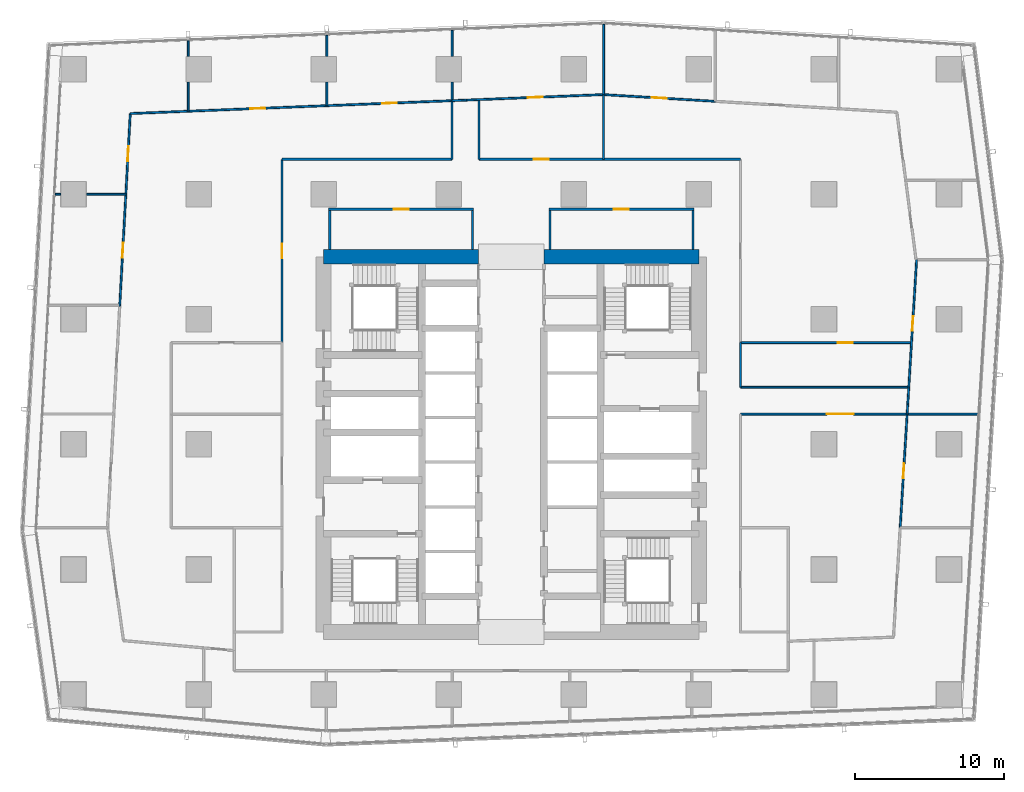
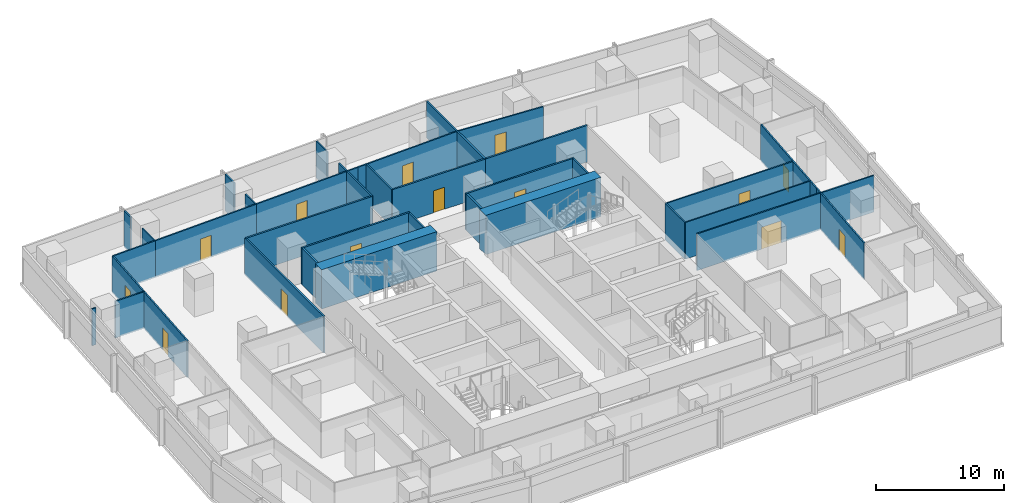
# One storey, part 31 of 40: 41 walls, 14 doors, 14 openings.
"""IFC4 building model written with IfcOpenShell, lengths in metres."""

from ifc_helpers import new_model, si_unit, direction, frame, frame_2d, origin, place, context, subcontext, project, spatial, rectangle, extrude, material, layer, layer_set, type_object, element, fill, save


model = new_model("IFC4")

# Units and contexts
model_context = context("Model", 3, precision=1e-05, world=origin(), true_north=direction((0.0, 1.0)))
body_context = subcontext(model_context, "Body", "Model", "MODEL_VIEW")
ifc_project = project(units=[si_unit("LENGTHUNIT", "METRE"), si_unit("AREAUNIT", "SQUARE_METRE"), si_unit("VOLUMEUNIT", "CUBIC_METRE"), si_unit("PLANEANGLEUNIT", "RADIAN"), si_unit("MASSUNIT", "GRAM", prefix="KILO")], contexts=[model_context])

# Site, building, storey
site_placement = place(None, origin())
site = spatial("IfcSite", under=ifc_project, at=site_placement, CompositionType="ELEMENT")
building_placement = place(site_placement, origin())
building = spatial("IfcBuilding", under=site, at=building_placement, Name="Rekha Terrace Tower", CompositionType="ELEMENT")
storey_placement = place(building_placement, frame((0.0, 0.0, 117.800048828125)))
storey = spatial("IfcBuildingStorey", under=building, at=storey_placement, Name="L29", CompositionType="ELEMENT", Elevation=117.800048828125)

# Walls
ifc_material_1 = material(Name="Concrete M70", Category="concrete")
ifc_layer_1 = layer(ifc_material_1, 1.0)
ifc_layer_set_1 = layer_set([ifc_layer_1], Name="Concrete M70")
wall_type_1 = type_object("IfcWallType", Name="SW2 1000 core outer shear wall", PredefinedType="SHEAR", material=ifc_layer_set_1)
wall_1_placement = place(storey_placement, frame((25.199951171875, 46.199951171875, 0.0), z_axis=(0.0, 0.0, 1.0), x_axis=(1.0, 0.0, 0.0)))
element("IfcWall", 1, at=wall_1_placement, inside=storey, type_object=wall_type_1, Name="Core wall N1 L29", PredefinedType="SHEAR", context=body_context, shape_type="SweptSolid", body=[
    extrude(rectangle(XDim=10.400146484375, YDim=1.0, at=frame_2d((5.2001953125, 0.0))), origin(), (0.0, 0.0, 1.0), 3.75),
])
wall_2_placement = place(storey_placement, frame((40.0, 46.199951171875, 0.0), z_axis=(0.0, 0.0, 1.0), x_axis=(1.0, 0.0, 0.0)))
element("IfcWall", 2, at=wall_2_placement, inside=storey, type_object=wall_type_1, Name="Core wall N2 L29", PredefinedType="SHEAR", context=body_context, shape_type="SweptSolid", body=[
    extrude(rectangle(XDim=10.39990234375, YDim=1.0, at=frame_2d((5.199951171875, 0.0))), origin(), (0.0, 0.0, 1.0), 3.75),
])

# Wall, opening, door
ifc_material_2 = material(Name="Concrete block masonry, 1 hour", Category="masonry")
ifc_layer_2 = layer(ifc_material_2, 0.14990234375)
ifc_layer_set_2 = layer_set([ifc_layer_2], Name="Concrete block masonry, 1 hour")
wall_type_2 = type_object("IfcWallType", Name="WP2 150 tenancy partition", PredefinedType="PARTITIONING", material=ifc_layer_set_2)
wall_3_placement = place(storey_placement, frame((40.324951171875, 49.39990234375, 0.0), z_axis=(0.0, 0.0, 1.0), x_axis=(1.0, 0.0, 0.0)))
wall_3 = element("IfcWall", 3, at=wall_3_placement, inside=storey, type_object=wall_type_2, Name="Women's WC wall L29", PredefinedType="PARTITIONING", context=body_context, shape_type="SweptSolid", body=[
    extrude(rectangle(XDim=9.75, YDim=0.14990234375, at=frame_2d((4.875, 0.0))), origin(), (0.0, 0.0, 1.0), 3.5),
])
opening_1_placement = place(wall_3_placement, frame((4.375, 0.0, 0.0)))
opening_1 = element("IfcOpeningElement", 4, at=opening_1_placement, cuts=wall_3, Name="Opening D3", PredefinedType="OPENING", context=body_context, shape_type="SweptSolid", body=[
    extrude(rectangle(XDim=1.0, YDim=2.10009765625, at=frame_2d((0.5, 1.050048828125))), frame((0.0, 0.0849609375, 0.0), z_axis=(0.0, -1.0, 0.0), x_axis=(1.0, 0.0, 0.0)), (0.0, 0.0, 1.0), 0.169921875),
])
ifc_material_3 = material(Name="Laminated timber fire door", Category="wood")
door_type_1 = type_object("IfcDoorType", Name="D3 1000x2100 WC door", OperationType="SINGLE_SWING_LEFT", PredefinedType="DOOR", material=ifc_material_3)
door_1_placement = place(opening_1_placement, origin())
door_1 = element("IfcDoor", 5, at=door_1_placement, inside=storey, type_object=door_type_1, Name="Door women's wc L29", OperationType="SINGLE_SWING_LEFT", OverallHeight=2.10009765625, OverallWidth=1.0, PredefinedType="DOOR", context=body_context, shape_type="SweptSolid", body=[
    extrude(rectangle(XDim=1.0, YDim=2.10009765625, at=frame_2d((0.5, 1.050048828125))), frame((0.0, 0.02490234375, 0.0), z_axis=(0.0, -1.0, 0.0), x_axis=(1.0, 0.0, 0.0)), (0.0, 0.0, 1.0), 0.050048828125),
])
fill(opening_1, door_1)

# Walls
for number, where, z_axis, x_axis, name in (
    (6, (40.39990234375, 46.699951171875, 0.0), (0.0, 0.0, 1.0), (0.0, 1.0, 0.0), "Women's WC wall L29"),
    (7, (50.0, 46.699951171875, 0.0), (0.0, 0.0, 1.0), (0.0, 1.0, 0.0), "Women's WC wall L29"),
):
    element("IfcWall", number, at=place(storey_placement, frame(where, z_axis=z_axis, x_axis=x_axis)), inside=storey, type_object=wall_type_2, Name=name, PredefinedType="PARTITIONING", context=body_context, shape_type="SweptSolid", body=[
        extrude(rectangle(XDim=2.625, YDim=0.14990234375, at=frame_2d((1.3125, 0.0))), origin(), (0.0, 0.0, 1.0), 3.5),
    ])

# Wall, opening, door
wall_4_placement = place(storey_placement, frame((25.52490234375, 49.39990234375, 0.0), z_axis=(0.0, 0.0, 1.0), x_axis=(1.0, 0.0, 0.0)))
wall_4 = element("IfcWall", 8, at=wall_4_placement, inside=storey, type_object=wall_type_2, Name="Women's WC wall L29", PredefinedType="PARTITIONING", context=body_context, shape_type="SweptSolid", body=[
    extrude(rectangle(XDim=9.75, YDim=0.14990234375, at=frame_2d((4.875, 0.0))), origin(), (0.0, 0.0, 1.0), 3.5),
])
opening_2_placement = place(wall_4_placement, frame((4.375, 0.0, 0.0)))
opening_2 = element("IfcOpeningElement", 9, at=opening_2_placement, cuts=wall_4, Name="Opening D3", PredefinedType="OPENING", context=body_context, shape_type="SweptSolid", body=[
    extrude(rectangle(XDim=1.0, YDim=2.10009765625, at=frame_2d((0.5, 1.050048828125))), frame((0.0, 0.0849609375, 0.0), z_axis=(0.0, -1.0, 0.0), x_axis=(1.0, 0.0, 0.0)), (0.0, 0.0, 1.0), 0.169921875),
])
door_2_placement = place(opening_2_placement, origin())
door_2 = element("IfcDoor", 10, at=door_2_placement, inside=storey, type_object=door_type_1, Name="Door women's wc L29", OperationType="SINGLE_SWING_LEFT", OverallHeight=2.10009765625, OverallWidth=1.0, PredefinedType="DOOR", context=body_context, shape_type="SweptSolid", body=[
    extrude(rectangle(XDim=1.0, YDim=2.10009765625, at=frame_2d((0.5, 1.050048828125))), frame((0.0, 0.02490234375, 0.0), z_axis=(0.0, -1.0, 0.0), x_axis=(1.0, 0.0, 0.0)), (0.0, 0.0, 1.0), 0.050048828125),
])
fill(opening_2, door_2)

# Walls
for number, where, z_axis, x_axis, name in (
    (11, (25.60009765625, 46.699951171875, 0.0), (0.0, 0.0, 1.0), (0.0, 1.0, 0.0), "Women's WC wall L29"),
    (12, (35.199951171875, 46.699951171875, 0.0), (0.0, 0.0, 1.0), (0.0, 1.0, 0.0), "Women's WC wall L29"),
):
    element("IfcWall", number, at=place(storey_placement, frame(where, z_axis=z_axis, x_axis=x_axis)), inside=storey, type_object=wall_type_2, Name=name, PredefinedType="PARTITIONING", context=body_context, shape_type="SweptSolid", body=[
        extrude(rectangle(XDim=2.625, YDim=0.14990234375, at=frame_2d((1.3125, 0.0))), origin(), (0.0, 0.0, 1.0), 3.5),
    ])
wall_5_placement = place(storey_placement, frame((53.199951171875, 52.75, 0.0), z_axis=(0.0, 0.0, 1.0), x_axis=(-1.0, 0.0, 0.0)))
element("IfcWall", 13, at=wall_5_placement, inside=storey, type_object=wall_type_2, Name="Partition L29-O1", PredefinedType="PARTITIONING", context=body_context, shape_type="SweptSolid", body=[
    extrude(rectangle(XDim=9.196044921875, YDim=0.14990234375, at=frame_2d((4.59814453125, 0.0))), origin(), (0.0, 0.0, 1.0), 3.5),
])
wall_6_placement = place(storey_placement, frame((44.00390625, 52.75, 0.0), z_axis=(0.0, 0.0, 1.0), x_axis=(0.0, 1.0, 0.0)))
element("IfcWall", 14, at=wall_6_placement, inside=storey, type_object=wall_type_2, Name="Partition L29-O1", PredefinedType="PARTITIONING", context=body_context, shape_type="SweptSolid", body=[
    extrude(rectangle(XDim=4.343017578125, YDim=0.14990234375, at=frame_2d((2.17138671875, 0.0))), origin(), (0.0, 0.0, 1.0), 3.5),
])
wall_7_placement = place(storey_placement, frame((33.825927734375, 56.6240234375, 0.0), z_axis=(0.0, 0.0, 1.0), x_axis=(0.0, -1.0, 0.0)))
element("IfcWall", 15, at=wall_7_placement, inside=storey, type_object=wall_type_2, Name="Partition L29-O2", PredefinedType="PARTITIONING", context=body_context, shape_type="SweptSolid", body=[
    extrude(rectangle(XDim=3.8740234375, YDim=0.14990234375, at=frame_2d((1.93701171875, 0.0))), origin(), (0.0, 0.0, 1.0), 3.5),
])
wall_8_placement = place(storey_placement, frame((33.825927734375, 52.75, 0.0), z_axis=(0.0, 0.0, 1.0), x_axis=(-1.0, 0.0, 0.0)))
element("IfcWall", 16, at=wall_8_placement, inside=storey, type_object=wall_type_2, Name="Partition L29-O2", PredefinedType="PARTITIONING", context=body_context, shape_type="SweptSolid", body=[
    extrude(rectangle(XDim=11.426025390625, YDim=0.14990234375, at=frame_2d((5.712890625, 0.0))), origin(), (0.0, 0.0, 1.0), 3.5),
])

# Wall, opening, door
wall_9_placement = place(storey_placement, frame((22.39990234375, 52.75, 0.0), z_axis=(0.0, 0.0, 1.0), x_axis=(0.0, -1.0, 0.0)))
wall_9 = element("IfcWall", 17, at=wall_9_placement, inside=storey, type_object=wall_type_2, Name="Partition L29-O2", PredefinedType="PARTITIONING", context=body_context, shape_type="SweptSolid", body=[
    extrude(rectangle(XDim=12.31591796875, YDim=0.14990234375, at=frame_2d((6.157958984375, 0.0))), origin(), (0.0, 0.0, 1.0), 3.5),
])
opening_3_placement = place(wall_9_placement, frame((5.657958984375, 0.0, 0.0)))
opening_3 = element("IfcOpeningElement", 18, at=opening_3_placement, cuts=wall_9, Name="Opening D9", PredefinedType="OPENING", context=body_context, shape_type="SweptSolid", body=[
    extrude(rectangle(XDim=1.0, YDim=2.10009765625, at=frame_2d((0.5, 1.050048828125))), frame((0.0, 0.0849609375, 0.0), z_axis=(0.0, -1.0, 0.0), x_axis=(1.0, 0.0, 0.0)), (0.0, 0.0, 1.0), 0.169921875),
])
ifc_material_4 = material(Name="Timber fire door", Category="wood")
door_type_2 = type_object("IfcDoorType", Name="D9 1000x2100 office door", OperationType="SINGLE_SWING_LEFT", PredefinedType="DOOR", material=ifc_material_4)
door_3_placement = place(opening_3_placement, origin())
door_3 = element("IfcDoor", 19, at=door_3_placement, inside=storey, type_object=door_type_2, Name="Door open-plan office L29", OperationType="SINGLE_SWING_LEFT", OverallHeight=2.10009765625, OverallWidth=1.0, PredefinedType="DOOR", context=body_context, shape_type="SweptSolid", body=[
    extrude(rectangle(XDim=1.0, YDim=2.10009765625, at=frame_2d((0.5, 1.050048828125))), frame((0.0, 0.02490234375, 0.0), z_axis=(0.0, -1.0, 0.0), x_axis=(1.0, 0.0, 0.0)), (0.0, 0.0, 1.0), 0.050048828125),
])
fill(opening_3, door_3)

wall_10_placement = place(storey_placement, frame((44.0029296875, 52.75, 0.0), z_axis=(0.0, 0.0, 1.0), x_axis=(-1.0, 0.0, 0.0)))
wall_10 = element("IfcWall", 20, at=wall_10_placement, inside=storey, type_object=wall_type_2, Name="Partition L29-O2b", PredefinedType="PARTITIONING", context=body_context, shape_type="SweptSolid", body=[
    extrude(rectangle(XDim=8.376953125, YDim=0.14990234375, at=frame_2d((4.1884765625, 0.0))), origin(), (0.0, 0.0, 1.0), 3.5),
])
opening_4_placement = place(wall_10_placement, frame((3.68896484375, 0.0, 0.0)))
opening_4 = element("IfcOpeningElement", 21, at=opening_4_placement, cuts=wall_10, Name="Opening D9", PredefinedType="OPENING", context=body_context, shape_type="SweptSolid", body=[
    extrude(rectangle(XDim=1.0, YDim=2.10009765625, at=frame_2d((0.5, 1.050048828125))), frame((0.0, 0.0849609375, 0.0), z_axis=(0.0, -1.0, 0.0), x_axis=(1.0, 0.0, 0.0)), (0.0, 0.0, 1.0), 0.169921875),
])
door_4_placement = place(opening_4_placement, origin())
door_4 = element("IfcDoor", 22, at=door_4_placement, inside=storey, type_object=door_type_2, Name="Door open-plan office L29", OperationType="SINGLE_SWING_LEFT", OverallHeight=2.10009765625, OverallWidth=1.0, PredefinedType="DOOR", context=body_context, shape_type="SweptSolid", body=[
    extrude(rectangle(XDim=1.0, YDim=2.10009765625, at=frame_2d((0.5, 1.050048828125))), frame((0.0, 0.02490234375, 0.0), z_axis=(0.0, -1.0, 0.0), x_axis=(1.0, 0.0, 0.0)), (0.0, 0.0, 1.0), 0.050048828125),
])
fill(opening_4, door_4)

# Wall
wall_11_placement = place(storey_placement, frame((35.6259765625, 52.75, 0.0), z_axis=(0.0, 0.0, 1.0), x_axis=(0.0, 1.0, 0.0)))
element("IfcWall", 23, at=wall_11_placement, inside=storey, type_object=wall_type_2, Name="Partition L29-O2b", PredefinedType="PARTITIONING", context=body_context, shape_type="SweptSolid", body=[
    extrude(rectangle(XDim=3.946044921875, YDim=0.14990234375, at=frame_2d((1.97314453125, 0.0))), origin(), (0.0, 0.0, 1.0), 3.5),
])

# Wall, opening, door
ifc_material_5 = material(Name="Two layers of fire-rated gypsum board each side on steel studs, acoustic quilt, 1 hour", Category="steel")
ifc_layer_3 = layer(ifc_material_5, 0.125)
ifc_layer_set_3 = layer_set([ifc_layer_3], Name="Two layers of fire-rated gypsum board each side on steel studs, acoustic quilt, 1 hour")
wall_type_3 = type_object("IfcWallType", Name="WP3 125 office partition", PredefinedType="PARTITIONING", material=ifc_layer_set_3)
wall_12_placement = place(storey_placement, frame((63.926025390625, 27.9970703125, 0.0), z_axis=(0.0, 0.0, 1.0), x_axis=(0.061176245149, 0.998126979412, 0.0)))
wall_12 = element("IfcWall", 24, at=wall_12_placement, inside=storey, type_object=wall_type_3, Name="Partition L29-05", PredefinedType="PARTITIONING", context=body_context, shape_type="SweptSolid", body=[
    extrude(rectangle(XDim=7.650390625, YDim=0.125, at=frame_2d((3.8251953125, 0.0))), origin(), (0.0, 0.0, 1.0), 3.5),
])
opening_5_placement = place(wall_12_placement, frame((3.324951171875, 0.0, 0.0)))
opening_5 = element("IfcOpeningElement", 25, at=opening_5_placement, cuts=wall_12, Name="Opening D9", PredefinedType="OPENING", context=body_context, shape_type="SweptSolid", body=[
    extrude(rectangle(XDim=1.0, YDim=2.10009765625, at=frame_2d((0.5, 1.050048828125))), frame((0.0, 0.072509765625, 0.0), z_axis=(0.0, -1.0, 0.0), x_axis=(1.0, 0.0, 0.0)), (0.0, 0.0, 1.0), 0.14501953125),
])
door_5_placement = place(opening_5_placement, origin())
door_5 = element("IfcDoor", 26, at=door_5_placement, inside=storey, type_object=door_type_2, Name="Door office L29", OperationType="SINGLE_SWING_LEFT", OverallHeight=2.10009765625, OverallWidth=1.0, PredefinedType="DOOR", context=body_context, shape_type="SweptSolid", body=[
    extrude(rectangle(XDim=1.0, YDim=2.10009765625, at=frame_2d((0.5, 1.050048828125))), frame((0.0, 0.02490234375, 0.0), z_axis=(0.0, -1.0, 0.0), x_axis=(1.0, 0.0, 0.0)), (0.0, 0.0, 1.0), 0.050048828125),
])
fill(opening_5, door_5)

# Walls
wall_13_placement = place(storey_placement, frame((64.39404296875, 35.633056640625, 0.0), z_axis=(0.0, 0.0, 1.0), x_axis=(1.0, 0.0, 0.0)))
element("IfcWall", 27, at=wall_13_placement, inside=storey, type_object=wall_type_3, Name="Partition L29-05", PredefinedType="PARTITIONING", context=body_context, shape_type="SweptSolid", body=[
    extrude(rectangle(XDim=4.758056640625, YDim=0.125, at=frame_2d((2.37890625, 0.0))), origin(), (0.0, 0.0, 1.0), 3.5),
])
wall_14_placement = place(storey_placement, frame((64.43408203125, 36.285888671875, 0.0), z_axis=(0.0, 0.0, 1.0), x_axis=(0.060546193712, 0.998165396328, 0.0)))
element("IfcWall", 28, at=wall_14_placement, inside=storey, type_object=wall_type_3, Name="Partition L29-06", PredefinedType="PARTITIONING", context=body_context, shape_type="SweptSolid", body=[
    extrude(rectangle(XDim=1.1533203125, YDim=0.125, at=frame_2d((0.57666015625, 0.0))), origin(), (0.0, 0.0, 1.0), 3.5),
])

# Wall, opening, door
wall_15_placement = place(storey_placement, frame((64.50390625, 37.43701171875, 0.0), z_axis=(0.0, 0.0, 1.0), x_axis=(0.061148210755, 0.998128697274, 0.0)))
wall_15 = element("IfcWall", 29, at=wall_15_placement, inside=storey, type_object=wall_type_3, Name="Partition L29-06", PredefinedType="PARTITIONING", context=body_context, shape_type="SweptSolid", body=[
    extrude(rectangle(XDim=8.588134765625, YDim=0.125, at=frame_2d((4.2939453125, 0.0))), origin(), (0.0, 0.0, 1.0), 3.5),
])
opening_6_placement = place(wall_15_placement, frame((3.791015625, 0.0, 0.0)))
opening_6 = element("IfcOpeningElement", 30, at=opening_6_placement, cuts=wall_15, Name="Opening D9", PredefinedType="OPENING", context=body_context, shape_type="SweptSolid", body=[
    extrude(rectangle(XDim=1.0, YDim=2.10009765625, at=frame_2d((0.5, 1.050048828125))), frame((0.0, 0.072509765625, 0.0), z_axis=(0.0, -1.0, 0.0), x_axis=(1.0, 0.0, 0.0)), (0.0, 0.0, 1.0), 0.14501953125),
])
door_6_placement = place(opening_6_placement, origin())
door_6 = element("IfcDoor", 31, at=door_6_placement, inside=storey, type_object=door_type_2, Name="Door office L29", OperationType="SINGLE_SWING_LEFT", OverallHeight=2.10009765625, OverallWidth=1.0, PredefinedType="DOOR", context=body_context, shape_type="SweptSolid", body=[
    extrude(rectangle(XDim=1.0, YDim=2.10009765625, at=frame_2d((0.5, 1.050048828125))), frame((0.0, 0.02490234375, 0.0), z_axis=(0.0, -1.0, 0.0), x_axis=(1.0, 0.0, 0.0)), (0.0, 0.0, 1.0), 0.050048828125),
])
fill(opening_6, door_6)

# Wall
wall_16_placement = place(storey_placement, frame((64.39404296875, 35.634033203125, 0.0), z_axis=(0.0, 0.0, 1.0), x_axis=(0.061307678676, 0.998118915027, 0.0)))
element("IfcWall", 32, at=wall_16_placement, inside=storey, type_object=wall_type_3, Name="Partition L29-06", PredefinedType="PARTITIONING", context=body_context, shape_type="SweptSolid", body=[
    extrude(rectangle(XDim=0.653076171875, YDim=0.125, at=frame_2d((0.32666015625, 0.0))), origin(), (0.0, 0.0, 1.0), 3.5),
])

# Wall, opening, door
wall_17_placement = place(storey_placement, frame((51.493896484375, 56.64306640625, 0.0), z_axis=(0.0, 0.0, 1.0), x_axis=(-0.998200446595, 0.059965560255, 0.0)))
wall_17 = element("IfcWall", 33, at=wall_17_placement, inside=storey, type_object=wall_type_3, Name="Partition L29-10", PredefinedType="PARTITIONING", context=body_context, shape_type="SweptSolid", body=[
    extrude(rectangle(XDim=7.50341796875, YDim=0.125, at=frame_2d((3.751708984375, 0.0))), origin(), (0.0, 0.0, 1.0), 3.5),
])
opening_7_placement = place(wall_17_placement, frame((3.251953125, 0.0, 0.0)))
opening_7 = element("IfcOpeningElement", 34, at=opening_7_placement, cuts=wall_17, Name="Opening D9", PredefinedType="OPENING", context=body_context, shape_type="SweptSolid", body=[
    extrude(rectangle(XDim=1.0, YDim=2.10009765625, at=frame_2d((0.5, 1.050048828125))), frame((0.0, 0.072509765625, 0.0), z_axis=(0.0, -1.0, 0.0), x_axis=(1.0, 0.0, 0.0)), (0.0, 0.0, 1.0), 0.14501953125),
])
door_7_placement = place(opening_7_placement, origin())
door_7 = element("IfcDoor", 35, at=door_7_placement, inside=storey, type_object=door_type_2, Name="Door office L29", OperationType="SINGLE_SWING_LEFT", OverallHeight=2.10009765625, OverallWidth=1.0, PredefinedType="DOOR", context=body_context, shape_type="SweptSolid", body=[
    extrude(rectangle(XDim=1.0, YDim=2.10009765625, at=frame_2d((0.5, 1.050048828125))), frame((0.0, 0.02490234375, 0.0), z_axis=(0.0, -1.0, 0.0), x_axis=(1.0, 0.0, 0.0)), (0.0, 0.0, 1.0), 0.050048828125),
])
fill(opening_7, door_7)

# Wall
wall_18_placement = place(storey_placement, frame((44.00390625, 57.093017578125, 0.0), z_axis=(0.0, 0.0, 1.0), x_axis=(0.0, 1.0, 0.0)))
element("IfcWall", 36, at=wall_18_placement, inside=storey, type_object=wall_type_3, Name="Partition L29-10", PredefinedType="PARTITIONING", context=body_context, shape_type="SweptSolid", body=[
    extrude(rectangle(XDim=4.72607421875, YDim=0.125, at=frame_2d((2.363037109375, 0.0))), origin(), (0.0, 0.0, 1.0), 3.5),
])

# Wall, opening, door
wall_19_placement = place(storey_placement, frame((53.199951171875, 35.633056640625, 0.0), z_axis=(0.0, 0.0, 1.0), x_axis=(1.0, 0.0, 0.0)))
wall_19 = element("IfcWall", 37, at=wall_19_placement, inside=storey, type_object=wall_type_3, Name="Partition L29-11", PredefinedType="PARTITIONING", context=body_context, shape_type="SweptSolid", body=[
    extrude(rectangle(XDim=11.194091796875, YDim=0.125, at=frame_2d((5.59716796875, 0.0))), origin(), (0.0, 0.0, 1.0), 3.5),
])
opening_8_placement = place(wall_19_placement, frame((5.797119140625, 0.0, 0.0)))
opening_8 = element("IfcOpeningElement", 38, at=opening_8_placement, cuts=wall_19, Name="Opening D8", PredefinedType="OPENING", context=body_context, shape_type="SweptSolid", body=[
    extrude(rectangle(XDim=1.800048828125, YDim=2.10009765625, at=frame_2d((0.89990234375, 1.050048828125))), frame((0.0, 0.072509765625, 0.0), z_axis=(0.0, -1.0, 0.0), x_axis=(1.0, 0.0, 0.0)), (0.0, 0.0, 1.0), 0.14501953125),
])
door_type_3 = type_object("IfcDoorType", Name="D8 1800x2100 double leaf door", OperationType="DOUBLE_DOOR_SINGLE_SWING", PredefinedType="DOOR", material=ifc_material_4)
door_8_placement = place(opening_8_placement, origin())
door_8 = element("IfcDoor", 39, at=door_8_placement, inside=storey, type_object=door_type_3, Name="Door reception L29", OperationType="DOUBLE_DOOR_SINGLE_SWING", OverallHeight=2.10009765625, OverallWidth=1.800048828125, PredefinedType="DOOR", context=body_context, shape_type="SweptSolid", body=[
    extrude(rectangle(XDim=1.800048828125, YDim=2.10009765625, at=frame_2d((0.89990234375, 1.050048828125))), frame((0.0, 0.02490234375, 0.0), z_axis=(0.0, -1.0, 0.0), x_axis=(1.0, 0.0, 0.0)), (0.0, 0.0, 1.0), 0.050048828125),
])
fill(opening_8, door_8)

# Wall
wall_20_placement = place(storey_placement, frame((53.199951171875, 37.43701171875, 0.0), z_axis=(0.0, 0.0, 1.0), x_axis=(0.0, 1.0, 0.0)))
element("IfcWall", 40, at=wall_20_placement, inside=storey, type_object=wall_type_3, Name="Partition L29-12", PredefinedType="PARTITIONING", context=body_context, shape_type="SweptSolid", body=[
    extrude(rectangle(XDim=2.99609375, YDim=0.125, at=frame_2d((1.498046875, 0.0))), origin(), (0.0, 0.0, 1.0), 3.5),
])

# Wall, opening, door
wall_21_placement = place(storey_placement, frame((53.199951171875, 40.43310546875, 0.0), z_axis=(0.0, 0.0, 1.0), x_axis=(1.0, 0.0, 0.0)))
wall_21 = element("IfcWall", 41, at=wall_21_placement, inside=storey, type_object=wall_type_3, Name="Partition L29-12", PredefinedType="PARTITIONING", context=body_context, shape_type="SweptSolid", body=[
    extrude(rectangle(XDim=11.425048828125, YDim=0.125, at=frame_2d((5.71240234375, 0.0))), origin(), (0.0, 0.0, 1.0), 3.5),
])
opening_9_placement = place(wall_21_placement, frame((6.5439453125, 0.0, 0.0)))
opening_9 = element("IfcOpeningElement", 42, at=opening_9_placement, cuts=wall_21, Name="Opening D9", PredefinedType="OPENING", context=body_context, shape_type="SweptSolid", body=[
    extrude(rectangle(XDim=1.0, YDim=2.10009765625, at=frame_2d((0.5, 1.050048828125))), frame((0.0, 0.072509765625, 0.0), z_axis=(0.0, -1.0, 0.0), x_axis=(1.0, 0.0, 0.0)), (0.0, 0.0, 1.0), 0.14501953125),
])
door_9_placement = place(opening_9_placement, origin())
door_9 = element("IfcDoor", 43, at=door_9_placement, inside=storey, type_object=door_type_2, Name="Door meeting room L29", OperationType="SINGLE_SWING_LEFT", OverallHeight=2.10009765625, OverallWidth=1.0, PredefinedType="DOOR", context=body_context, shape_type="SweptSolid", body=[
    extrude(rectangle(XDim=1.0, YDim=2.10009765625, at=frame_2d((0.5, 1.050048828125))), frame((0.0, 0.02490234375, 0.0), z_axis=(0.0, -1.0, 0.0), x_axis=(1.0, 0.0, 0.0)), (0.0, 0.0, 1.0), 0.050048828125),
])
fill(opening_9, door_9)

# Walls
wall_22_placement = place(storey_placement, frame((64.50390625, 37.43701171875, 0.0), z_axis=(0.0, 0.0, 1.0), x_axis=(-1.0, 0.0, 0.0)))
element("IfcWall", 44, at=wall_22_placement, inside=storey, type_object=wall_type_3, Name="Partition L29-12", PredefinedType="PARTITIONING", context=body_context, shape_type="SweptSolid", body=[
    extrude(rectangle(XDim=11.303955078125, YDim=0.125, at=frame_2d((5.65185546875, 0.0))), origin(), (0.0, 0.0, 1.0), 3.5),
])
wall_23_placement = place(storey_placement, frame((34.80810546875, 56.72607421875, 0.0), z_axis=(0.0, 0.0, 1.0), x_axis=(-0.999206910902, -0.039818955354, 0.0)))
element("IfcWall", 45, at=wall_23_placement, inside=storey, type_object=wall_type_3, Name="Partition L29-13", PredefinedType="PARTITIONING", context=body_context, shape_type="SweptSolid", body=[
    extrude(rectangle(XDim=0.98095703125, YDim=0.125, at=frame_2d((0.490478515625, 0.0))), origin(), (0.0, 0.0, 1.0), 3.5),
])
wall_24_placement = place(storey_placement, frame((33.827880859375, 56.68701171875, 0.0), z_axis=(0.0, 0.0, 1.0), x_axis=(0.0, 1.0, 0.0)))
element("IfcWall", 46, at=wall_24_placement, inside=storey, type_object=wall_type_3, Name="Partition L29-13", PredefinedType="PARTITIONING", context=body_context, shape_type="SweptSolid", body=[
    extrude(rectangle(XDim=1.242919921875, YDim=0.125, at=frame_2d((0.62158203125, 0.0))), origin(), (0.0, 0.0, 1.0), 3.5),
])
wall_25_placement = place(storey_placement, frame((33.827880859375, 59.669921875, 0.0), z_axis=(0.0, 0.0, 1.0), x_axis=(0.0, 1.0, 0.0)))
element("IfcWall", 47, at=wall_25_placement, inside=storey, type_object=wall_type_3, Name="Partition L29-13", PredefinedType="PARTITIONING", context=body_context, shape_type="SweptSolid", body=[
    extrude(rectangle(XDim=1.740966796875, YDim=0.125, at=frame_2d((0.87060546875, 0.0))), origin(), (0.0, 0.0, 1.0), 3.5),
])

# Wall, opening, door
wall_26_placement = place(storey_placement, frame((43.952880859375, 57.093017578125, 0.0), z_axis=(0.0, 0.0, 1.0), x_axis=(-0.999195922466, -0.040093746735, 0.0)))
wall_26 = element("IfcWall", 48, at=wall_26_placement, inside=storey, type_object=wall_type_3, Name="Partition L29-13", PredefinedType="PARTITIONING", context=body_context, shape_type="SweptSolid", body=[
    extrude(rectangle(XDim=9.152099609375, YDim=0.125, at=frame_2d((4.576171875, 0.0))), origin(), (0.0, 0.0, 1.0), 3.5),
])
opening_10_placement = place(wall_26_placement, frame((4.051025390625, 0.0, 0.0)))
opening_10 = element("IfcOpeningElement", 49, at=opening_10_placement, cuts=wall_26, Name="Opening D9", PredefinedType="OPENING", context=body_context, shape_type="SweptSolid", body=[
    extrude(rectangle(XDim=1.0, YDim=2.10009765625, at=frame_2d((0.5, 1.050048828125))), frame((0.0, 0.072509765625, 0.0), z_axis=(0.0, -1.0, 0.0), x_axis=(1.0, 0.0, 0.0)), (0.0, 0.0, 1.0), 0.14501953125),
])
door_10_placement = place(opening_10_placement, origin())
door_10 = element("IfcDoor", 50, at=door_10_placement, inside=storey, type_object=door_type_2, Name="Door office L29", OperationType="SINGLE_SWING_LEFT", OverallHeight=2.10009765625, OverallWidth=1.0, PredefinedType="DOOR", context=body_context, shape_type="SweptSolid", body=[
    extrude(rectangle(XDim=1.0, YDim=2.10009765625, at=frame_2d((0.5, 1.050048828125))), frame((0.0, 0.02490234375, 0.0), z_axis=(0.0, -1.0, 0.0), x_axis=(1.0, 0.0, 0.0)), (0.0, 0.0, 1.0), 0.050048828125),
])
fill(opening_10, door_10)

# Walls
wall_27_placement = place(storey_placement, frame((25.4140625, 56.35009765625, 0.0), z_axis=(0.0, 0.0, 1.0), x_axis=(0.0, 1.0, 0.0)))
element("IfcWall", 51, at=wall_27_placement, inside=storey, type_object=wall_type_3, Name="Partition L29-14", PredefinedType="PARTITIONING", context=body_context, shape_type="SweptSolid", body=[
    extrude(rectangle(XDim=1.579833984375, YDim=0.125, at=frame_2d((0.7900390625, 0.0))), origin(), (0.0, 0.0, 1.0), 3.5),
])
wall_28_placement = place(storey_placement, frame((25.4140625, 59.669921875, 0.0), z_axis=(0.0, 0.0, 1.0), x_axis=(0.0, 1.0, 0.0)))
element("IfcWall", 52, at=wall_28_placement, inside=storey, type_object=wall_type_3, Name="Partition L29-14", PredefinedType="PARTITIONING", context=body_context, shape_type="SweptSolid", body=[
    extrude(rectangle(XDim=1.404052734375, YDim=0.125, at=frame_2d((0.7021484375, 0.0))), origin(), (0.0, 0.0, 1.0), 3.5),
])

# Wall, opening, door
wall_29_placement = place(storey_placement, frame((33.826904296875, 56.68701171875, 0.0), z_axis=(0.0, 0.0, 1.0), x_axis=(-0.999199058446, -0.04001551701, 0.0)))
wall_29 = element("IfcWall", 53, at=wall_29_placement, inside=storey, type_object=wall_type_3, Name="Partition L29-14", PredefinedType="PARTITIONING", context=body_context, shape_type="SweptSolid", body=[
    extrude(rectangle(XDim=8.419677734375, YDim=0.125, at=frame_2d((4.2099609375, 0.0))), origin(), (0.0, 0.0, 1.0), 3.5),
])
opening_11_placement = place(wall_29_placement, frame((3.7099609375, 0.0, 0.0)))
opening_11 = element("IfcOpeningElement", 54, at=opening_11_placement, cuts=wall_29, Name="Opening D9", PredefinedType="OPENING", context=body_context, shape_type="SweptSolid", body=[
    extrude(rectangle(XDim=1.0, YDim=2.10009765625, at=frame_2d((0.5, 1.050048828125))), frame((0.0, 0.072509765625, 0.0), z_axis=(0.0, -1.0, 0.0), x_axis=(1.0, 0.0, 0.0)), (0.0, 0.0, 1.0), 0.14501953125),
])
door_11_placement = place(opening_11_placement, origin())
door_11 = element("IfcDoor", 55, at=door_11_placement, inside=storey, type_object=door_type_2, Name="Door office L29", OperationType="SINGLE_SWING_LEFT", OverallHeight=2.10009765625, OverallWidth=1.0, PredefinedType="DOOR", context=body_context, shape_type="SweptSolid", body=[
    extrude(rectangle(XDim=1.0, YDim=2.10009765625, at=frame_2d((0.5, 1.050048828125))), frame((0.0, 0.02490234375, 0.0), z_axis=(0.0, -1.0, 0.0), x_axis=(1.0, 0.0, 0.0)), (0.0, 0.0, 1.0), 0.050048828125),
])
fill(opening_11, door_11)

wall_30_placement = place(storey_placement, frame((25.4130859375, 56.35009765625, 0.0), z_axis=(0.0, 0.0, 1.0), x_axis=(-0.999198361773, -0.04003290935, 0.0)))
wall_30 = element("IfcWall", 56, at=wall_30_placement, inside=storey, type_object=wall_type_3, Name="Partition L29-15", PredefinedType="PARTITIONING", context=body_context, shape_type="SweptSolid", body=[
    extrude(rectangle(XDim=9.318603515625, YDim=0.125, at=frame_2d((4.6591796875, 0.0))), origin(), (0.0, 0.0, 1.0), 3.5),
])
opening_12_placement = place(wall_30_placement, frame((4.158935546875, 0.0, 0.0)))
opening_12 = element("IfcOpeningElement", 57, at=opening_12_placement, cuts=wall_30, Name="Opening D9", PredefinedType="OPENING", context=body_context, shape_type="SweptSolid", body=[
    extrude(rectangle(XDim=1.0, YDim=2.10009765625, at=frame_2d((0.5, 1.050048828125))), frame((0.0, 0.072509765625, 0.0), z_axis=(0.0, -1.0, 0.0), x_axis=(1.0, 0.0, 0.0)), (0.0, 0.0, 1.0), 0.14501953125),
])
door_12_placement = place(opening_12_placement, origin())
door_12 = element("IfcDoor", 58, at=door_12_placement, inside=storey, type_object=door_type_2, Name="Door office L29", OperationType="SINGLE_SWING_LEFT", OverallHeight=2.10009765625, OverallWidth=1.0, PredefinedType="DOOR", context=body_context, shape_type="SweptSolid", body=[
    extrude(rectangle(XDim=1.0, YDim=2.10009765625, at=frame_2d((0.5, 1.050048828125))), frame((0.0, 0.02490234375, 0.0), z_axis=(0.0, -1.0, 0.0), x_axis=(1.0, 0.0, 0.0)), (0.0, 0.0, 1.0), 0.050048828125),
])
fill(opening_12, door_12)

# Walls
wall_31_placement = place(storey_placement, frame((16.10205078125, 55.97705078125, 0.0), z_axis=(0.0, 0.0, 1.0), x_axis=(0.0, 1.0, 0.0)))
element("IfcWall", 59, at=wall_31_placement, inside=storey, type_object=wall_type_3, Name="Partition L29-15", PredefinedType="PARTITIONING", context=body_context, shape_type="SweptSolid", body=[
    extrude(rectangle(XDim=1.952880859375, YDim=0.125, at=frame_2d((0.9765625, 0.0))), origin(), (0.0, 0.0, 1.0), 3.5),
])
wall_32_placement = place(storey_placement, frame((16.10205078125, 59.669921875, 0.0), z_axis=(0.0, 0.0, 1.0), x_axis=(0.0, 1.0, 0.0)))
element("IfcWall", 60, at=wall_32_placement, inside=storey, type_object=wall_type_3, Name="Partition L29-15", PredefinedType="PARTITIONING", context=body_context, shape_type="SweptSolid", body=[
    extrude(rectangle(XDim=1.030029296875, YDim=0.125, at=frame_2d((0.51513671875, 0.0))), origin(), (0.0, 0.0, 1.0), 3.5),
])
wall_33_placement = place(storey_placement, frame((16.10107421875, 55.97705078125, 0.0), z_axis=(0.0, 0.0, 1.0), x_axis=(-0.99919845494, -0.040030583869, 0.0)))
element("IfcWall", 61, at=wall_33_placement, inside=storey, type_object=wall_type_3, Name="Partition L29-16", PredefinedType="PARTITIONING", context=body_context, shape_type="SweptSolid", body=[
    extrude(rectangle(XDim=3.897216796875, YDim=0.125, at=frame_2d((1.94873046875, 0.0))), origin(), (0.0, 0.0, 1.0), 3.5),
])

# Wall, opening, door
wall_34_placement = place(storey_placement, frame((12.20703125, 55.821044921875, 0.0), z_axis=(0.0, 0.0, 1.0), x_axis=(-0.054757305638, -0.998499693279, 0.0)))
wall_34 = element("IfcWall", 62, at=wall_34_placement, inside=storey, type_object=wall_type_3, Name="Partition L29-16", PredefinedType="PARTITIONING", context=body_context, shape_type="SweptSolid", body=[
    extrude(rectangle(XDim=5.426025390625, YDim=0.125, at=frame_2d((2.712890625, 0.0))), origin(), (0.0, 0.0, 1.0), 3.5),
])
opening_13_placement = place(wall_34_placement, frame((2.212890625, 0.0, 0.0)))
opening_13 = element("IfcOpeningElement", 63, at=opening_13_placement, cuts=wall_34, Name="Opening D9", PredefinedType="OPENING", context=body_context, shape_type="SweptSolid", body=[
    extrude(rectangle(XDim=1.0, YDim=2.10009765625, at=frame_2d((0.5, 1.050048828125))), frame((0.0, 0.072509765625, 0.0), z_axis=(0.0, -1.0, 0.0), x_axis=(1.0, 0.0, 0.0)), (0.0, 0.0, 1.0), 0.14501953125),
])
door_13_placement = place(opening_13_placement, origin())
door_13 = element("IfcDoor", 64, at=door_13_placement, inside=storey, type_object=door_type_2, Name="Door director's office L29", OperationType="SINGLE_SWING_LEFT", OverallHeight=2.10009765625, OverallWidth=1.0, PredefinedType="DOOR", context=body_context, shape_type="SweptSolid", body=[
    extrude(rectangle(XDim=1.0, YDim=2.10009765625, at=frame_2d((0.5, 1.050048828125))), frame((0.0, 0.02490234375, 0.0), z_axis=(0.0, -1.0, 0.0), x_axis=(1.0, 0.0, 0.0)), (0.0, 0.0, 1.0), 0.050048828125),
])
fill(opening_13, door_13)

# Walls
wall_35_placement = place(storey_placement, frame((11.909912109375, 50.403076171875, 0.0), z_axis=(0.0, 0.0, 1.0), x_axis=(-1.0, 0.0, 0.0)))
element("IfcWall", 65, at=wall_35_placement, inside=storey, type_object=wall_type_3, Name="Partition L29-16", PredefinedType="PARTITIONING", context=body_context, shape_type="SweptSolid", body=[
    extrude(rectangle(XDim=2.639892578125, YDim=0.125, at=frame_2d((1.31982421875, 0.0))), origin(), (0.0, 0.0, 1.0), 3.5),
])
wall_36_placement = place(storey_placement, frame((7.530029296875, 50.403076171875, 0.0), z_axis=(0.0, 0.0, 1.0), x_axis=(-1.0, 0.0, 0.0)))
element("IfcWall", 66, at=wall_36_placement, inside=storey, type_object=wall_type_3, Name="Partition L29-16", PredefinedType="PARTITIONING", context=body_context, shape_type="SweptSolid", body=[
    extrude(rectangle(XDim=0.346923828125, YDim=0.125, at=frame_2d((0.17333984375, 0.0))), origin(), (0.0, 0.0, 1.0), 3.5),
])

# Wall, opening, door
wall_37_placement = place(storey_placement, frame((11.909912109375, 50.402099609375, 0.0), z_axis=(0.0, 0.0, 1.0), x_axis=(-0.054750918435, -0.998500043531, 0.0)))
wall_37 = element("IfcWall", 67, at=wall_37_placement, inside=storey, type_object=wall_type_3, Name="Partition L29-17", PredefinedType="PARTITIONING", context=body_context, shape_type="SweptSolid", body=[
    extrude(rectangle(XDim=7.540283203125, YDim=0.125, at=frame_2d((3.77001953125, 0.0))), origin(), (0.0, 0.0, 1.0), 3.5),
])
opening_14_placement = place(wall_37_placement, frame((3.27001953125, 0.0, 0.0)))
opening_14 = element("IfcOpeningElement", 68, at=opening_14_placement, cuts=wall_37, Name="Opening D9", PredefinedType="OPENING", context=body_context, shape_type="SweptSolid", body=[
    extrude(rectangle(XDim=1.0, YDim=2.10009765625, at=frame_2d((0.5, 1.050048828125))), frame((0.0, 0.072509765625, 0.0), z_axis=(0.0, -1.0, 0.0), x_axis=(1.0, 0.0, 0.0)), (0.0, 0.0, 1.0), 0.14501953125),
])
door_14_placement = place(opening_14_placement, origin())
door_14 = element("IfcDoor", 69, at=door_14_placement, inside=storey, type_object=door_type_2, Name="Door office L29", OperationType="SINGLE_SWING_LEFT", OverallHeight=2.10009765625, OverallWidth=1.0, PredefinedType="DOOR", context=body_context, shape_type="SweptSolid", body=[
    extrude(rectangle(XDim=1.0, YDim=2.10009765625, at=frame_2d((0.5, 1.050048828125))), frame((0.0, 0.02490234375, 0.0), z_axis=(0.0, -1.0, 0.0), x_axis=(1.0, 0.0, 0.0)), (0.0, 0.0, 1.0), 0.050048828125),
])
fill(opening_14, door_14)

save(model, "model.ifc")
